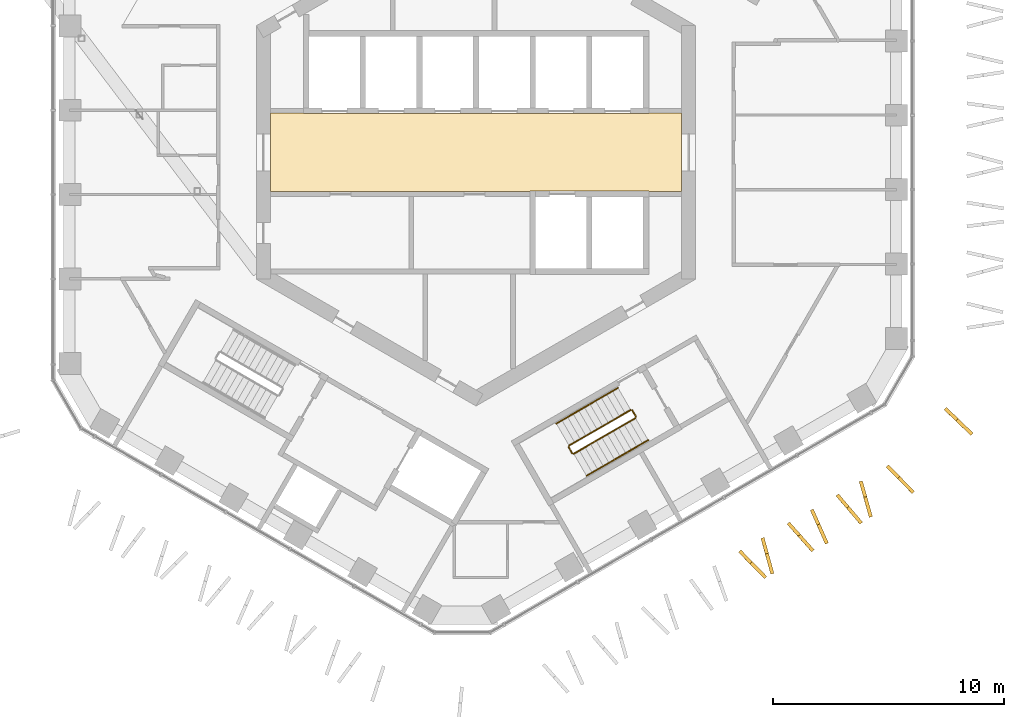
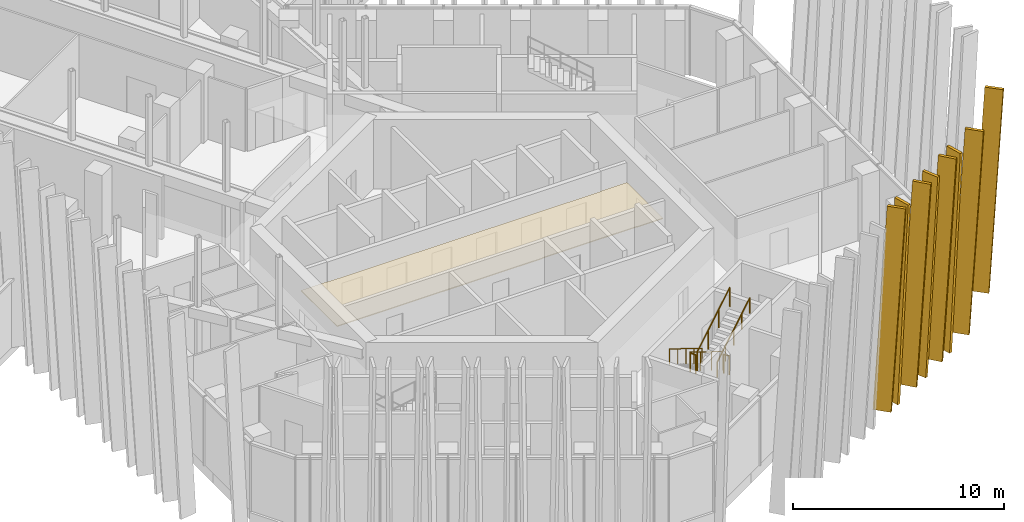
# One storey, part 27 of 29: 8 railings, 8 shading devices, 1 covering.
"""IFC4 building model written with IfcOpenShell, lengths in metres."""

from ifc_helpers import new_model, si_unit, direction, frame, origin, origin_2d, place, context, subcontext, project, spatial, polyline, circle, outline, extrude, material, layer, layer_set, type_object, element, save


model = new_model("IFC4")

# Units and contexts
model_context = context("Model", 3, precision=1e-05, world=origin(), true_north=direction((0.0, 1.0)))
body_context = subcontext(model_context, "Body", "Model", "MODEL_VIEW")
ifc_project = project(units=[si_unit("LENGTHUNIT", "METRE"), si_unit("AREAUNIT", "SQUARE_METRE"), si_unit("VOLUMEUNIT", "CUBIC_METRE"), si_unit("PLANEANGLEUNIT", "RADIAN"), si_unit("MASSUNIT", "GRAM", prefix="KILO")], contexts=[model_context])

# Site, building, storey
site_placement = place(None, origin())
site = spatial("IfcSite", under=ifc_project, at=site_placement, CompositionType="ELEMENT")
building_placement = place(site_placement, origin())
building = spatial("IfcBuilding", under=site, at=building_placement, Name="Ayvan Gate Tower", CompositionType="ELEMENT")
storey_placement = place(building_placement, frame((0.0, 0.0, 186.699951171875)))
storey = spatial("IfcBuildingStorey", under=building, at=storey_placement, Name="L50", CompositionType="ELEMENT", Elevation=186.699951171875)

# Shading devices
ifc_material_1 = material(Name="Bronze anodised aluminium", Category="aluminium")
ifc_layer_1 = layer(ifc_material_1, 0.14990234375)
ifc_layer_set_1 = layer_set([ifc_layer_1], Name="Bronze anodised aluminium")
shading_device_type = type_object("IfcShadingDeviceType", Name="Bronze fin 900 x 150", PredefinedType="USERDEFINED", material=ifc_layer_set_1)
shading_device_1_placement = place(storey_placement, frame((11.35498046875, -17.301513671875, 0.0), z_axis=(-0.715733987116, -0.698372995956, 0.000134935919), x_axis=(0.698373002314, -0.715733993631, 3.18e-10)))
element("IfcShadingDevice", 1, at=shading_device_1_placement, inside=storey, type_object=shading_device_type, Name="Bronze fin FG18.5.41", ObjectType="FIN", PredefinedType="USERDEFINED", context=body_context, shape_type="SweptSolid", body=[
    extrude(outline(polyline([(0.0, 0.0), (0.9001788306031899, -6.776263578034403e-21), (1.60714660159384, 11.880127060769357), (0.707313011956457, 11.880127061341177), (0.0, 0.0)])), origin(), (0.0, 0.0, -1.0), 0.14990234375),
])
shading_device_2_placement = place(storey_placement, frame((12.323486328125, -16.69873046875, 0.0), z_axis=(-0.964647906371, -0.263542025039, 0.00013331477), x_axis=(0.263542027383, -0.964647914942, 1.7442e-08)))
element("IfcShadingDevice", 2, at=shading_device_2_placement, inside=storey, type_object=shading_device_type, Name="Bronze fin FG18.5.42", ObjectType="FIN", PredefinedType="USERDEFINED", context=body_context, shape_type="SweptSolid", body=[
    extrude(outline(polyline([(0.0, 0.0), (0.9000124111698499, 6.776263578034403e-21), (1.607034297484852, 11.880127030666038), (0.7070862276302812, 11.880127062061844), (0.0, 0.0)])), origin(), (0.0, 0.0, -1.0), 0.14990234375),
])
shading_device_3_placement = place(storey_placement, frame((13.455810546875, -16.086669921875, 0.0), z_axis=(-0.74809743984, -0.663588880453, 0.000135073521), x_axis=(0.663588886507, -0.748097446663, 1.216e-08)))
element("IfcShadingDevice", 3, at=shading_device_3_placement, inside=storey, type_object=shading_device_type, Name="Bronze fin FG18.5.43", ObjectType="FIN", PredefinedType="USERDEFINED", context=body_context, shape_type="SweptSolid", body=[
    extrude(outline(polyline([(0.0, 0.0), (0.8998152043084233, 1.3552527156068805e-20), (1.6070591381803911, 11.880127041959103), (0.7070612928937782, 11.880127063844451), (0.0, 0.0)])), origin(), (0.0, 0.0, -1.0), 0.14990234375),
])
shading_device_4_placement = place(storey_placement, frame((14.457763671875, -15.484130859375, 0.0), z_axis=(-0.913895418831, -0.405949686637, 0.000123929146), x_axis=(0.405949689753, -0.91389542585, -1.5362e-08)))
element("IfcShadingDevice", 4, at=shading_device_4_placement, inside=storey, type_object=shading_device_type, Name="Bronze fin FG18.5.44", ObjectType="FIN", PredefinedType="USERDEFINED", context=body_context, shape_type="SweptSolid", body=[
    extrude(outline(polyline([(0.0, 0.0), (0.8999546937399745, 0.0), (1.607250881999465, 11.880127069046319), (0.7071970794485157, 11.88012704139385), (0.0, 0.0)])), origin(), (0.0, 0.0, -1.0), 0.14990234375),
])
shading_device_5_placement = place(storey_placement, frame((15.571044921875, -14.8642578125, 0.0), z_axis=(-0.762397599457, -0.647108867997, 0.000115336534), x_axis=(0.647108872303, -0.762397604526, 2.205e-08)))
element("IfcShadingDevice", 5, at=shading_device_5_placement, inside=storey, type_object=shading_device_type, Name="Bronze fin FG18.5.45", ObjectType="FIN", PredefinedType="USERDEFINED", context=body_context, shape_type="SweptSolid", body=[
    extrude(outline(polyline([(0.0, 0.0), (0.8999851167071701, 6.776263578034403e-21), (1.607103830852633, 11.880126996706148), (0.7070905674823227, 11.880127036396122), (0.0, 0.0)])), origin(), (0.0, 0.0, -1.0), 0.14990234375),
])
shading_device_6_placement = place(storey_placement, frame((16.5732421875, -14.24609375, 0.0), z_axis=(-0.962581304475, -0.270993017661, 0.000129051358), x_axis=(0.270993019917, -0.962581312491, -4.743e-09)))
element("IfcShadingDevice", 6, at=shading_device_6_placement, inside=storey, type_object=shading_device_type, Name="Bronze fin FG18.5.46", ObjectType="FIN", PredefinedType="USERDEFINED", context=body_context, shape_type="SweptSolid", body=[
    extrude(outline(polyline([(0.0, 0.0), (0.9001277111636908, 6.776263578034403e-21), (1.6071850316149434, 11.880127059674734), (0.7072923256544973, 11.880127051137759), (0.0, 0.0)])), origin(), (0.0, 0.0, -1.0), 0.14990234375),
])
shading_device_7_placement = place(storey_placement, frame((17.73388671875, -13.618896484375, 0.0), z_axis=(-0.710691790206, -0.703503495381, 0.000106401568), x_axis=(0.703503499364, -0.710691794228, 1.0255e-08)))
element("IfcShadingDevice", 7, at=shading_device_7_placement, inside=storey, type_object=shading_device_type, Name="Bronze fin FG18.5.47", ObjectType="FIN", PredefinedType="USERDEFINED", context=body_context, shape_type="SweptSolid", body=[
    extrude(outline(polyline([(0.0, 0.0), (0.9001222114811585, 6.776263578034403e-21), (1.6072322647919501, 11.880127003891953), (0.7072818070948163, 11.880127022351793), (0.0, 0.0)])), origin(), (0.0, 0.0, -1.0), 0.14990234375),
])
shading_device_8_placement = place(storey_placement, frame((20.247314453125, -11.13134765625, 0.0), z_axis=(-0.693964845143, -0.720008873733, 0.000124303357), x_axis=(0.720008879296, -0.693964850504, 0.0)))
element("IfcShadingDevice", 8, at=shading_device_8_placement, inside=storey, type_object=shading_device_type, Name="Bronze fin FG18.6.48", ObjectType="FIN", PredefinedType="USERDEFINED", context=body_context, shape_type="SweptSolid", body=[
    extrude(outline(polyline([(0.0, 0.0), (0.8999183723731917, 0.0), (1.6071722903027539, 11.880127044906848), (0.707253917929562, 11.880127044906848), (0.0, 0.0)])), origin(), (0.0, 0.0, -1.0), 0.14990234375),
])

# Covering
ifc_material_2 = material(Name="Plasterboard suspended ceiling")
ifc_layer_2 = layer(ifc_material_2, 0.050048828125)
ifc_layer_set_2 = layer_set([ifc_layer_2], Name="Plasterboard suspended ceiling")
covering_type = type_object("IfcCoveringType", Name="CT-SUSP-50", PredefinedType="CEILING", material=ifc_layer_set_2)
covering_placement = place(storey_placement, frame((0.0, 0.0, 2.400146484375)))
element("IfcCovering", 9, at=covering_placement, inside=storey, type_object=covering_type, Name="Ceiling Lift Lobby L50", PredefinedType="CEILING", context=body_context, shape_type="SweptSolid", body=[
    extrude(outline(polyline([(7.47509765625, -1.675048828125), (2.324951171875, -1.675048828125), (2.324951171875, -1.699951171875), (-8.89990234375, -1.699951171875), (-8.89990234375, 1.699951171875), (-7.47509765625, 1.699951171875), (-7.47509765625, 1.675048828125), (7.47509765625, 1.675048828125), (7.47509765625, 1.699951171875), (8.89990234375, 1.699951171875), (8.89990234375, -1.699951171875), (7.47509765625, -1.699951171875), (7.47509765625, -1.675048828125)])), origin(), (0.0, 0.0, 1.0), 0.0498046875),
])

# Railings
ifc_material_3 = material(Name="Stainless steel balustrade", Category="steel")
railing_type_1 = type_object("IfcRailingType", Name="RL-GUARD-1100", PredefinedType="GUARDRAIL", material=ifc_material_3)
railing_1_placement = place(storey_placement, frame((6.6923828125, -11.1416015625, 0.166748046875)))
element("IfcRailing", 10, at=railing_1_placement, inside=storey, type_object=railing_type_1, Name="L50 STS3 stair guard 1", PredefinedType="GUARDRAIL", context=body_context, shape_type="SweptSolid", body=[
    extrude(circle(Radius=0.02392578125, at=origin_2d()), frame((0.0, 0.0, 1.076171875), z_axis=(-0.744211616859, -0.429593874019, 0.511466687808), x_axis=(0.499932877268, -0.866064153644, 0.0)), (0.0, 0.0, 1.0), 3.584228515625),
    extrude(circle(Radius=0.02099609375, at=origin_2d()), origin(), (0.0, 0.0, 1.0), 1.052001953125),
    extrude(circle(Radius=0.02099609375, at=origin_2d()), frame((-0.88916015625, -0.51318359375, 0.611083984375)), (0.0, 0.0, 1.0), 1.052001953125),
    extrude(circle(Radius=0.02099609375, at=origin_2d()), frame((-1.7783203125, -1.026611328125, 1.22216796875)), (0.0, 0.0, 1.0), 1.052001953125),
    extrude(circle(Radius=0.02099609375, at=origin_2d()), frame((-2.66748046875, -1.539794921875, 1.833251953125)), (0.0, 0.0, 1.0), 1.052001953125),
])
railing_2_placement = place(storey_placement, frame((4.006591796875, -12.749755859375, 2.0)))
element("IfcRailing", 11, at=railing_2_placement, inside=storey, type_object=railing_type_1, Name="L50 STS3 stair guard 2", PredefinedType="GUARDRAIL", context=body_context, shape_type="SweptSolid", body=[
    extrude(circle(Radius=0.02392578125, at=origin_2d()), frame((0.0, 0.0, 1.076171875), z_axis=(0.499949632511, -0.866054481515, 0.0), x_axis=(0.866054481515, 0.499949632511, 0.0)), (0.0, 0.0, 1.0), 0.31005859375),
    extrude(circle(Radius=0.02099609375, at=origin_2d()), origin(), (0.0, 0.0, 1.0), 1.052001953125),
    extrude(circle(Radius=0.02099609375, at=origin_2d()), frame((0.155029296875, -0.2685546875, 0.0)), (0.0, 0.0, 1.0), 1.052001953125),
])
railing_3_placement = place(storey_placement, frame((4.22998046875, -13.03662109375, 2.166748046875)))
element("IfcRailing", 12, at=railing_3_placement, inside=storey, type_object=railing_type_1, Name="L50 STS3 stair guard 3", PredefinedType="GUARDRAIL", context=body_context, shape_type="SweptSolid", body=[
    extrude(circle(Radius=0.02392578125, at=origin_2d()), frame((0.0, 0.0, 1.076171875), z_axis=(0.744189839504, 0.429649414936, 0.511451721109), x_axis=(-0.499992328818, 0.866029832698, 0.0)), (0.0, 0.0, 1.0), 3.58447265625),
    extrude(circle(Radius=0.02099609375, at=origin_2d()), origin(), (0.0, 0.0, 1.0), 1.052001953125),
    extrude(circle(Radius=0.02099609375, at=origin_2d()), frame((0.88916015625, 0.513427734375, 0.611083984375)), (0.0, 0.0, 1.0), 1.052001953125),
    extrude(circle(Radius=0.02099609375, at=origin_2d()), frame((1.7783203125, 1.026611328125, 1.22216796875)), (0.0, 0.0, 1.0), 1.052001953125),
    extrude(circle(Radius=0.02099609375, at=origin_2d()), frame((2.66748046875, 1.5400390625, 1.833251953125)), (0.0, 0.0, 1.0), 1.052001953125),
])
railing_4_placement = place(storey_placement, frame((6.7607421875, -11.159912109375, 0.0)))
element("IfcRailing", 13, at=railing_4_placement, inside=storey, type_object=railing_type_1, Name="L50 STS3 stair guard 4", PredefinedType="GUARDRAIL", context=body_context, shape_type="SweptSolid", body=[
    extrude(circle(Radius=0.02392578125, at=origin_2d()), frame((0.0, 0.0, 1.076171875), z_axis=(0.500290723946, -0.86585748916, 0.0), x_axis=(0.86585748916, 0.500290723946, 0.0)), (0.0, 0.0, 1.0), 0.309814453125),
    extrude(circle(Radius=0.02099609375, at=origin_2d()), origin(), (0.0, 0.0, 1.0), 1.052001953125),
    extrude(circle(Radius=0.02099609375, at=origin_2d()), frame((0.155029296875, -0.268310546875, 0.0)), (0.0, 0.0, 1.0), 1.052001953125),
])
railing_type_2 = type_object("IfcRailingType", Name="RL-HANDRAIL-900", PredefinedType="HANDRAIL", material=ifc_material_3)
railing_5_placement = place(storey_placement, frame((6.142333984375, -10.18896484375, 0.166748046875)))
element("IfcRailing", 14, at=railing_5_placement, inside=storey, type_object=railing_type_2, Name="L50 STS3 stair handrail 1", PredefinedType="HANDRAIL", context=body_context, shape_type="SweptSolid", body=[
    extrude(circle(Radius=0.02392578125, at=origin_2d()), frame((0.0, 0.0, 0.8759765625), z_axis=(-0.7441639146, -0.429634447492, 0.511502013422), x_axis=(0.499992328818, -0.866029832698, 0.0)), (0.0, 0.0, 1.0), 1.792236328125),
    extrude(circle(Radius=0.02099609375, at=origin_2d()), origin(), (0.0, 0.0, 1.0), 0.851806640625),
    extrude(circle(Radius=0.02099609375, at=origin_2d()), frame((-0.6669921875, -0.385009765625, 0.45849609375)), (0.0, 0.0, 1.0), 0.851806640625),
    extrude(circle(Radius=0.02099609375, at=origin_2d()), frame((-1.333740234375, -0.77001953125, 0.916748046875)), (0.0, 0.0, 1.0), 0.851806640625),
])
railing_6_placement = place(storey_placement, frame((4.80859375, -10.958984375, 1.08349609375)))
element("IfcRailing", 15, at=railing_6_placement, inside=storey, type_object=railing_type_2, Name="L50 STS3 stair handrail 2", PredefinedType="HANDRAIL", context=body_context, shape_type="SweptSolid", body=[
    extrude(circle(Radius=0.02392578125, at=origin_2d()), frame((0.0, 0.0, 0.8759765625), z_axis=(-0.744198540083, -0.429596850399, 0.511483214843), x_axis=(0.499942064311, -0.866058850386, 0.0)), (0.0, 0.0, 1.0), 1.791748046875),
    extrude(circle(Radius=0.02099609375, at=origin_2d()), origin(), (0.0, 0.0, 1.0), 0.851806640625),
    extrude(circle(Radius=0.02099609375, at=origin_2d()), frame((-0.666748046875, -0.384765625, 0.458251953125)), (0.0, 0.0, 1.0), 0.851806640625),
    extrude(circle(Radius=0.02099609375, at=origin_2d()), frame((-1.33349609375, -0.769775390625, 0.91650390625)), (0.0, 0.0, 1.0), 0.851806640625),
])
railing_7_placement = place(storey_placement, frame((4.780029296875, -13.9892578125, 2.166748046875)))
element("IfcRailing", 16, at=railing_7_placement, inside=storey, type_object=railing_type_2, Name="L50 STS3 stair handrail 3", PredefinedType="HANDRAIL", context=body_context, shape_type="SweptSolid", body=[
    extrude(circle(Radius=0.02392578125, at=origin_2d()), frame((0.0, 0.0, 0.8759765625), z_axis=(0.7441639146, 0.429634447492, 0.511502013422), x_axis=(-0.499992328818, 0.866029832698, 0.0)), (0.0, 0.0, 1.0), 1.792236328125),
    extrude(circle(Radius=0.02099609375, at=origin_2d()), origin(), (0.0, 0.0, 1.0), 0.851806640625),
    extrude(circle(Radius=0.02099609375, at=origin_2d()), frame((0.6669921875, 0.385009765625, 0.45849609375)), (0.0, 0.0, 1.0), 0.851806640625),
    extrude(circle(Radius=0.02099609375, at=origin_2d()), frame((1.333740234375, 0.77001953125, 0.916748046875)), (0.0, 0.0, 1.0), 0.851806640625),
])
railing_8_placement = place(storey_placement, frame((6.11376953125, -13.21923828125, 3.08349609375)))
element("IfcRailing", 17, at=railing_8_placement, inside=storey, type_object=railing_type_2, Name="L50 STS3 stair handrail 4", PredefinedType="HANDRAIL", context=body_context, shape_type="SweptSolid", body=[
    extrude(circle(Radius=0.02392578125, at=origin_2d()), frame((0.0, 0.0, 0.8759765625), z_axis=(0.744154977086, 0.429707945391, 0.511453274255), x_axis=(-0.500060979923, 0.865990194147, 0.0)), (0.0, 0.0, 1.0), 1.7919921875),
    extrude(circle(Radius=0.02099609375, at=origin_2d()), origin(), (0.0, 0.0, 1.0), 0.851806640625),
    extrude(circle(Radius=0.02099609375, at=origin_2d()), frame((0.666748046875, 0.385009765625, 0.458251953125)), (0.0, 0.0, 1.0), 0.851806640625),
    extrude(circle(Radius=0.02099609375, at=origin_2d()), frame((1.33349609375, 0.77001953125, 0.91650390625)), (0.0, 0.0, 1.0), 0.851806640625),
])

save(model, "model.ifc")
